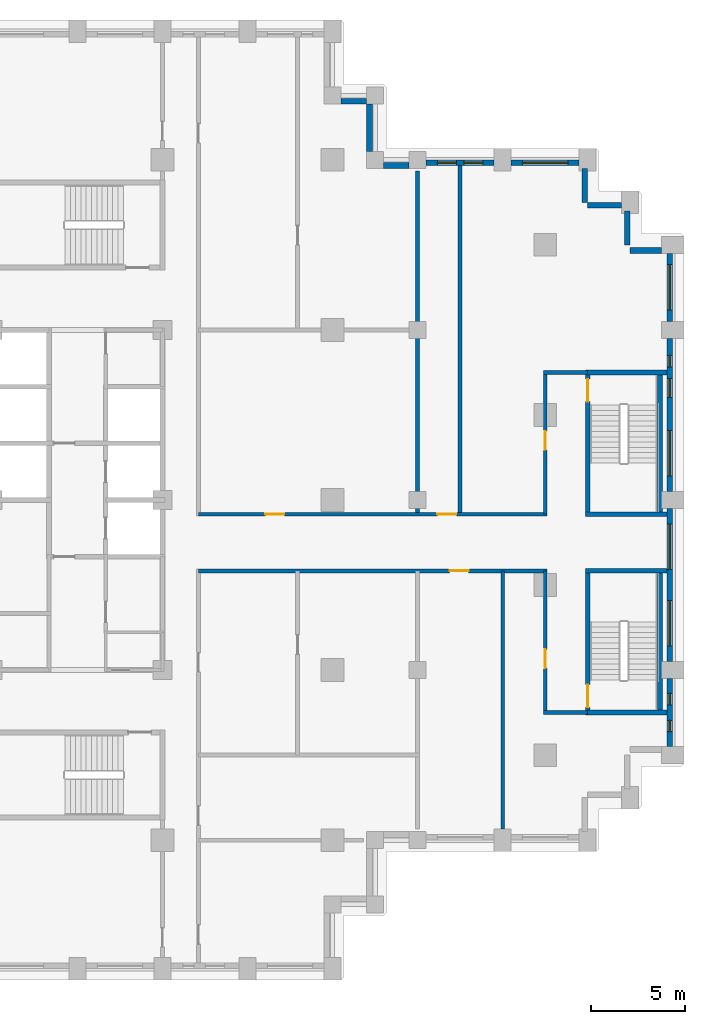
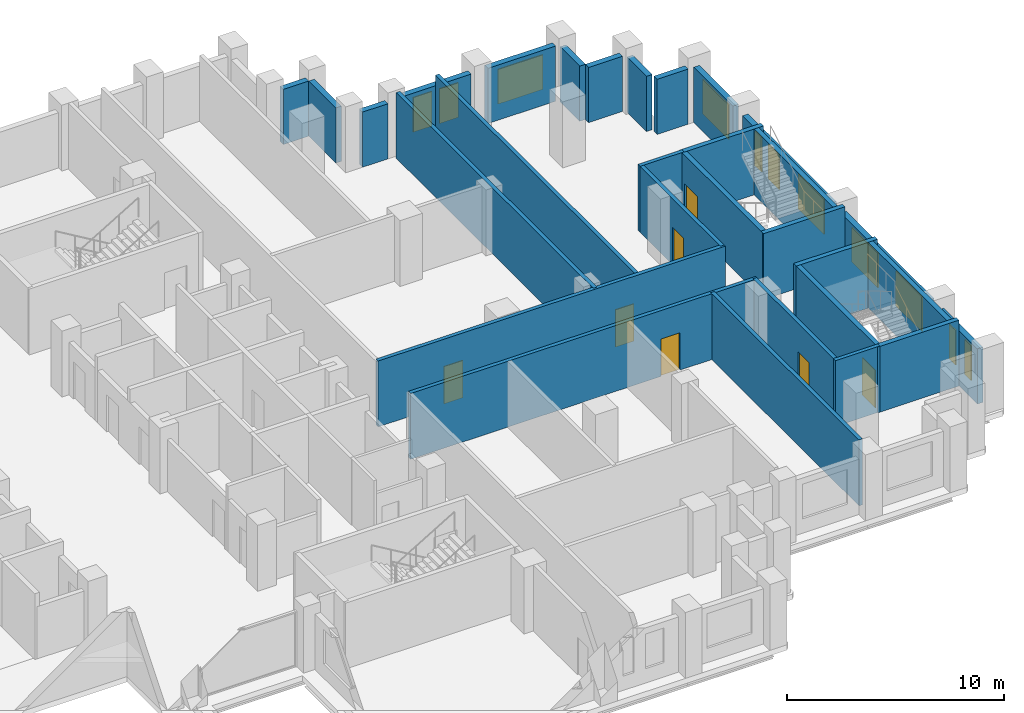
# One storey, part 12 of 16: 30 walls, 11 windows, 7 doors, 18 openings.
"""IFC4 building model written with IfcOpenShell, lengths in metres."""

from ifc_helpers import new_model, si_unit, direction, frame, frame_2d, origin, place, context, subcontext, project, spatial, rectangle, extrude, material, layer, layer_set, type_object, element, fill, save


model = new_model("IFC4")

# Units and contexts
model_context = context("Model", 3, precision=1e-05, world=origin(), true_north=direction((0.0, 1.0)))
body_context = subcontext(model_context, "Body", "Model", "MODEL_VIEW")
ifc_project = project(units=[si_unit("LENGTHUNIT", "METRE"), si_unit("AREAUNIT", "SQUARE_METRE"), si_unit("VOLUMEUNIT", "CUBIC_METRE"), si_unit("PLANEANGLEUNIT", "RADIAN"), si_unit("MASSUNIT", "GRAM", prefix="KILO")], contexts=[model_context])

# Site, building, storey
site_placement = place(None, origin())
site = spatial("IfcSite", under=ifc_project, at=site_placement, CompositionType="ELEMENT")
building_placement = place(site_placement, origin())
building = spatial("IfcBuilding", under=site, at=building_placement, Name="Corbelhall Arena Tower", CompositionType="ELEMENT")
storey_placement = place(building_placement, frame((0.0, 0.0, 104.0)))
storey = spatial("IfcBuildingStorey", under=building, at=storey_placement, Name="L18", CompositionType="ELEMENT", Elevation=104.0)

# Walls
ifc_material_1 = material(Name="Precast concrete C40/50 with granite facing", Category="masonry")
ifc_layer_1 = layer(ifc_material_1, 0.300048828125)
ifc_layer_set_1 = layer_set([ifc_layer_1], Name="EV-IW1 Infill panel 300")
wall_type_1 = type_object("IfcWallType", Name="EV-IW1 Infill panel 300", PredefinedType="SOLIDWALL", material=ifc_layer_set_1)
wall_1_placement = place(storey_placement, frame((39.89990234375, 13.199951171875, 0.0), z_axis=(0.0, 0.0, 1.0), x_axis=(-1.0, 0.0, 0.0)))
element("IfcWall", 1, at=wall_1_placement, inside=storey, type_object=wall_type_1, Name="Infill panel IW1", PredefinedType="SOLIDWALL", context=body_context, shape_type="SweptSolid", body=[
    extrude(rectangle(XDim=1.64990234375, YDim=0.300048828125, at=frame_2d((0.824951171875, 0.0))), origin(), (0.0, 0.0, 1.0), 3.10009765625),
])
for number, where, z_axis, x_axis, name in (
    (2, (38.10009765625, 15.300048828125, 0.0), (0.0, 0.0, 1.0), (0.0, -1.0, 0.0), "Infill panel IW1"),
    (3, (37.800048828125, 15.60009765625, 0.0), (0.0, 0.0, 1.0), (-1.0, 0.0, 0.0), "Infill panel IW1"),
    (4, (35.85009765625, 17.550048828125, 0.0), (0.0, 0.0, 1.0), (0.0, -1.0, 0.0), "Infill panel IW1"),
):
    element("IfcWall", number, at=place(storey_placement, frame(where, z_axis=z_axis, x_axis=x_axis)), inside=storey, type_object=wall_type_1, Name=name, PredefinedType="SOLIDWALL", context=body_context, shape_type="SweptSolid", body=[
        extrude(rectangle(XDim=1.800048828125, YDim=0.300048828125, at=frame_2d((0.89990234375, 0.0))), origin(), (0.0, 0.0, 1.0), 3.10009765625),
    ])

# Wall, openings, windows
wall_2_placement = place(storey_placement, frame((40.35009765625, -13.050048828125, 0.0), z_axis=(0.0, 0.0, 1.0), x_axis=(0.0, 1.0, 0.0)))
wall_2 = element("IfcWall", 5, at=wall_2_placement, inside=storey, type_object=wall_type_1, Name="Infill panel IW1", PredefinedType="SOLIDWALL", context=body_context, shape_type="SweptSolid", body=[
    extrude(rectangle(XDim=3.60009765625, YDim=0.300048828125, at=frame_2d((1.800048828125, 0.0))), origin(), (0.0, 0.0, 1.0), 3.10009765625),
])
opening_1_placement = place(wall_2_placement, frame((0.78759765625, 0.0, 0.800048828125)))
opening_1 = element("IfcOpeningElement", 6, at=opening_1_placement, cuts=wall_2, Name="Opening WN5", PredefinedType="OPENING", context=body_context, shape_type="SweptSolid", body=[
    extrude(rectangle(XDim=0.60009765625, YDim=1.949951171875, at=frame_2d((0.300048828125, 0.97509765625))), frame((0.0, 0.14990234375, 0.0), z_axis=(0.0, -1.0, 0.0), x_axis=(1.0, 0.0, 0.0)), (0.0, 0.0, 1.0), 0.300048828125),
])
opening_2_placement = place(wall_2_placement, frame((2.21240234375, 0.0, 0.800048828125)))
opening_2 = element("IfcOpeningElement", 7, at=opening_2_placement, cuts=wall_2, Name="Opening WN5", PredefinedType="OPENING", context=body_context, shape_type="SweptSolid", body=[
    extrude(rectangle(XDim=0.60009765625, YDim=1.949951171875, at=frame_2d((0.300048828125, 0.97509765625))), frame((0.0, 0.14990234375, 0.0), z_axis=(0.0, -1.0, 0.0), x_axis=(1.0, 0.0, 0.0)), (0.0, 0.0, 1.0), 0.300048828125),
])
ifc_material_2 = material(Name="Aluminium black anodised", Category="aluminium")
window_type_1 = type_object("IfcWindowType", Name="EV-WN5 Office window 600", PartitioningType="SINGLE_PANEL", PredefinedType="WINDOW", material=ifc_material_2)
window_1_placement = place(opening_1_placement, origin())
window_1 = element("IfcWindow", 8, at=window_1_placement, inside=storey, type_object=window_type_1, Name="Window WN5", OverallHeight=1.949951171875, OverallWidth=0.60009765625, PartitioningType="SINGLE_PANEL", PredefinedType="WINDOW", context=body_context, shape_type="SweptSolid", body=[
    extrude(rectangle(XDim=0.60009765625, YDim=1.949951171875, at=frame_2d((0.300048828125, 0.97509765625))), frame((0.0, 0.030029296875, 0.0), z_axis=(0.0, -1.0, 0.0), x_axis=(1.0, 0.0, 0.0)), (0.0, 0.0, 1.0), 0.06005859375),
])
fill(opening_1, window_1)
window_2_placement = place(opening_2_placement, origin())
window_2 = element("IfcWindow", 9, at=window_2_placement, inside=storey, type_object=window_type_1, Name="Window WN5", OverallHeight=1.949951171875, OverallWidth=0.60009765625, PartitioningType="SINGLE_PANEL", PredefinedType="WINDOW", context=body_context, shape_type="SweptSolid", body=[
    extrude(rectangle(XDim=0.60009765625, YDim=1.949951171875, at=frame_2d((0.300048828125, 0.97509765625))), frame((0.0, 0.030029296875, 0.0), z_axis=(0.0, -1.0, 0.0), x_axis=(1.0, 0.0, 0.0)), (0.0, 0.0, 1.0), 0.06005859375),
])
fill(opening_2, window_2)

wall_3_placement = place(storey_placement, frame((40.35009765625, -8.550048828125, 0.0), z_axis=(0.0, 0.0, 1.0), x_axis=(0.0, 1.0, 0.0)))
wall_3 = element("IfcWall", 10, at=wall_3_placement, inside=storey, type_object=wall_type_1, Name="Infill panel IW1", PredefinedType="SOLIDWALL", context=body_context, shape_type="SweptSolid", body=[
    extrude(rectangle(XDim=8.10009765625, YDim=0.300048828125, at=frame_2d((4.050048828125, 0.0))), origin(), (0.0, 0.0, 1.0), 3.10009765625),
])
opening_3_placement = place(wall_3_placement, frame((0.824951171875, 0.0, 0.800048828125)))
opening_3 = element("IfcOpeningElement", 11, at=opening_3_placement, cuts=wall_3, Name="Opening WN1", PredefinedType="OPENING", context=body_context, shape_type="SweptSolid", body=[
    extrude(rectangle(XDim=2.39990234375, YDim=1.949951171875, at=frame_2d((1.199951171875, 0.97509765625))), frame((0.0, 0.14990234375, 0.0), z_axis=(0.0, -1.0, 0.0), x_axis=(1.0, 0.0, 0.0)), (0.0, 0.0, 1.0), 0.300048828125),
])
opening_4_placement = place(wall_3_placement, frame((4.875, 0.0, 0.800048828125)))
opening_4 = element("IfcOpeningElement", 12, at=opening_4_placement, cuts=wall_3, Name="Opening WN1", PredefinedType="OPENING", context=body_context, shape_type="SweptSolid", body=[
    extrude(rectangle(XDim=2.39990234375, YDim=1.949951171875, at=frame_2d((1.199951171875, 0.97509765625))), frame((0.0, 0.14990234375, 0.0), z_axis=(0.0, -1.0, 0.0), x_axis=(1.0, 0.0, 0.0)), (0.0, 0.0, 1.0), 0.300048828125),
])
window_type_2 = type_object("IfcWindowType", Name="EV-WN1 Office window", PartitioningType="SINGLE_PANEL", PredefinedType="WINDOW", material=ifc_material_2)
window_3_placement = place(opening_3_placement, origin())
window_3 = element("IfcWindow", 13, at=window_3_placement, inside=storey, type_object=window_type_2, Name="Window WN1", OverallHeight=1.949951171875, OverallWidth=2.39990234375, PartitioningType="SINGLE_PANEL", PredefinedType="WINDOW", context=body_context, shape_type="SweptSolid", body=[
    extrude(rectangle(XDim=2.39990234375, YDim=1.949951171875, at=frame_2d((1.199951171875, 0.97509765625))), frame((0.0, 0.030029296875, 0.0), z_axis=(0.0, -1.0, 0.0), x_axis=(1.0, 0.0, 0.0)), (0.0, 0.0, 1.0), 0.06005859375),
])
fill(opening_3, window_3)
window_4_placement = place(opening_4_placement, origin())
window_4 = element("IfcWindow", 14, at=window_4_placement, inside=storey, type_object=window_type_2, Name="Window WN1", OverallHeight=1.949951171875, OverallWidth=2.39990234375, PartitioningType="SINGLE_PANEL", PredefinedType="WINDOW", context=body_context, shape_type="SweptSolid", body=[
    extrude(rectangle(XDim=2.39990234375, YDim=1.949951171875, at=frame_2d((1.199951171875, 0.97509765625))), frame((0.0, 0.030029296875, 0.0), z_axis=(0.0, -1.0, 0.0), x_axis=(1.0, 0.0, 0.0)), (0.0, 0.0, 1.0), 0.06005859375),
])
fill(opening_4, window_4)

wall_4_placement = place(storey_placement, frame((40.35009765625, 0.449951171875, 0.0), z_axis=(0.0, 0.0, 1.0), x_axis=(0.0, 1.0, 0.0)))
wall_4 = element("IfcWall", 15, at=wall_4_placement, inside=storey, type_object=wall_type_1, Name="Infill panel IW1", PredefinedType="SOLIDWALL", context=body_context, shape_type="SweptSolid", body=[
    extrude(rectangle(XDim=8.10009765625, YDim=0.300048828125, at=frame_2d((4.050048828125, 0.0))), origin(), (0.0, 0.0, 1.0), 3.10009765625),
])
opening_5_placement = place(wall_4_placement, frame((0.824951171875, 0.0, 0.800048828125)))
opening_5 = element("IfcOpeningElement", 16, at=opening_5_placement, cuts=wall_4, Name="Opening WN1", PredefinedType="OPENING", context=body_context, shape_type="SweptSolid", body=[
    extrude(rectangle(XDim=2.39990234375, YDim=1.949951171875, at=frame_2d((1.199951171875, 0.97509765625))), frame((0.0, 0.14990234375, 0.0), z_axis=(0.0, -1.0, 0.0), x_axis=(1.0, 0.0, 0.0)), (0.0, 0.0, 1.0), 0.300048828125),
])
opening_6_placement = place(wall_4_placement, frame((4.97509765625, 0.0, 0.800048828125)))
opening_6 = element("IfcOpeningElement", 17, at=opening_6_placement, cuts=wall_4, Name="Opening WN6", PredefinedType="OPENING", context=body_context, shape_type="SweptSolid", body=[
    extrude(rectangle(XDim=1.0, YDim=1.949951171875, at=frame_2d((0.5, 0.97509765625))), frame((0.0, 0.14990234375, 0.0), z_axis=(0.0, -1.0, 0.0), x_axis=(1.0, 0.0, 0.0)), (0.0, 0.0, 1.0), 0.300048828125),
])
opening_7_placement = place(wall_4_placement, frame((6.60009765625, 0.0, 0.800048828125)))
opening_7 = element("IfcOpeningElement", 18, at=opening_7_placement, cuts=wall_4, Name="Opening WN5", PredefinedType="OPENING", context=body_context, shape_type="SweptSolid", body=[
    extrude(rectangle(XDim=0.60009765625, YDim=1.949951171875, at=frame_2d((0.300048828125, 0.97509765625))), frame((0.0, 0.14990234375, 0.0), z_axis=(0.0, -1.0, 0.0), x_axis=(1.0, 0.0, 0.0)), (0.0, 0.0, 1.0), 0.300048828125),
])
window_5_placement = place(opening_5_placement, origin())
window_5 = element("IfcWindow", 19, at=window_5_placement, inside=storey, type_object=window_type_2, Name="Window WN1", OverallHeight=1.949951171875, OverallWidth=2.39990234375, PartitioningType="SINGLE_PANEL", PredefinedType="WINDOW", context=body_context, shape_type="SweptSolid", body=[
    extrude(rectangle(XDim=2.39990234375, YDim=1.949951171875, at=frame_2d((1.199951171875, 0.97509765625))), frame((0.0, 0.030029296875, 0.0), z_axis=(0.0, -1.0, 0.0), x_axis=(1.0, 0.0, 0.0)), (0.0, 0.0, 1.0), 0.06005859375),
])
fill(opening_5, window_5)
window_6_placement = place(opening_7_placement, origin())
window_6 = element("IfcWindow", 20, at=window_6_placement, inside=storey, type_object=window_type_1, Name="Window WN5", OverallHeight=1.949951171875, OverallWidth=0.60009765625, PartitioningType="SINGLE_PANEL", PredefinedType="WINDOW", context=body_context, shape_type="SweptSolid", body=[
    extrude(rectangle(XDim=0.60009765625, YDim=1.949951171875, at=frame_2d((0.300048828125, 0.97509765625))), frame((0.0, 0.030029296875, 0.0), z_axis=(0.0, -1.0, 0.0), x_axis=(1.0, 0.0, 0.0)), (0.0, 0.0, 1.0), 0.06005859375),
])
fill(opening_7, window_6)
window_type_3 = type_object("IfcWindowType", Name="EV-WN6 Office window 1000", PartitioningType="SINGLE_PANEL", PredefinedType="WINDOW", material=ifc_material_2)
window_7_placement = place(opening_6_placement, origin())
window_7 = element("IfcWindow", 21, at=window_7_placement, inside=storey, type_object=window_type_3, Name="Window WN6", OverallHeight=1.949951171875, OverallWidth=1.0, PartitioningType="SINGLE_PANEL", PredefinedType="WINDOW", context=body_context, shape_type="SweptSolid", body=[
    extrude(rectangle(XDim=1.0, YDim=1.949951171875, at=frame_2d((0.5, 0.97509765625))), frame((0.0, 0.030029296875, 0.0), z_axis=(0.0, -1.0, 0.0), x_axis=(1.0, 0.0, 0.0)), (0.0, 0.0, 1.0), 0.06005859375),
])
fill(opening_6, window_7)

# Wall, opening, window
wall_5_placement = place(storey_placement, frame((40.35009765625, 9.449951171875, 0.0), z_axis=(0.0, 0.0, 1.0), x_axis=(0.0, 1.0, 0.0)))
wall_5 = element("IfcWall", 22, at=wall_5_placement, inside=storey, type_object=wall_type_1, Name="Infill panel IW1", PredefinedType="SOLIDWALL", context=body_context, shape_type="SweptSolid", body=[
    extrude(rectangle(XDim=3.60009765625, YDim=0.300048828125, at=frame_2d((1.800048828125, 0.0))), origin(), (0.0, 0.0, 1.0), 3.10009765625),
])
opening_8_placement = place(wall_5_placement, frame((0.60009765625, 0.0, 0.800048828125)))
opening_8 = element("IfcOpeningElement", 23, at=opening_8_placement, cuts=wall_5, Name="Opening WN1", PredefinedType="OPENING", context=body_context, shape_type="SweptSolid", body=[
    extrude(rectangle(XDim=2.39990234375, YDim=1.949951171875, at=frame_2d((1.199951171875, 0.97509765625))), frame((0.0, 0.14990234375, 0.0), z_axis=(0.0, -1.0, 0.0), x_axis=(1.0, 0.0, 0.0)), (0.0, 0.0, 1.0), 0.300048828125),
])
window_8_placement = place(opening_8_placement, origin())
window_8 = element("IfcWindow", 24, at=window_8_placement, inside=storey, type_object=window_type_2, Name="Window WN1", OverallHeight=1.949951171875, OverallWidth=2.39990234375, PartitioningType="SINGLE_PANEL", PredefinedType="WINDOW", context=body_context, shape_type="SweptSolid", body=[
    extrude(rectangle(XDim=2.39990234375, YDim=1.949951171875, at=frame_2d((1.199951171875, 0.97509765625))), frame((0.0, 0.030029296875, 0.0), z_axis=(0.0, -1.0, 0.0), x_axis=(1.0, 0.0, 0.0)), (0.0, 0.0, 1.0), 0.06005859375),
])
fill(opening_8, window_8)

wall_6_placement = place(storey_placement, frame((35.550048828125, 17.85009765625, 0.0), z_axis=(0.0, 0.0, 1.0), x_axis=(-1.0, 0.0, 0.0)))
wall_6 = element("IfcWall", 25, at=wall_6_placement, inside=storey, type_object=wall_type_1, Name="Infill panel IW1", PredefinedType="SOLIDWALL", context=body_context, shape_type="SweptSolid", body=[
    extrude(rectangle(XDim=3.60009765625, YDim=0.300048828125, at=frame_2d((1.800048828125, 0.0))), origin(), (0.0, 0.0, 1.0), 3.10009765625),
])
opening_9_placement = place(wall_6_placement, frame((0.60009765625, 0.0, 0.800048828125)))
opening_9 = element("IfcOpeningElement", 26, at=opening_9_placement, cuts=wall_6, Name="Opening WN1", PredefinedType="OPENING", context=body_context, shape_type="SweptSolid", body=[
    extrude(rectangle(XDim=2.39990234375, YDim=1.949951171875, at=frame_2d((1.199951171875, 0.97509765625))), frame((0.0, 0.14990234375, 0.0), z_axis=(0.0, -1.0, 0.0), x_axis=(1.0, 0.0, 0.0)), (0.0, 0.0, 1.0), 0.300048828125),
])
window_9_placement = place(opening_9_placement, origin())
window_9 = element("IfcWindow", 27, at=window_9_placement, inside=storey, type_object=window_type_2, Name="Window WN1", OverallHeight=1.949951171875, OverallWidth=2.39990234375, PartitioningType="SINGLE_PANEL", PredefinedType="WINDOW", context=body_context, shape_type="SweptSolid", body=[
    extrude(rectangle(XDim=2.39990234375, YDim=1.949951171875, at=frame_2d((1.199951171875, 0.97509765625))), frame((0.0, 0.030029296875, 0.0), z_axis=(0.0, -1.0, 0.0), x_axis=(1.0, 0.0, 0.0)), (0.0, 0.0, 1.0), 0.06005859375),
])
fill(opening_9, window_9)

# Wall, openings, windows
wall_7_placement = place(storey_placement, frame((31.050048828125, 17.85009765625, 0.0), z_axis=(0.0, 0.0, 1.0), x_axis=(-1.0, 0.0, 0.0)))
wall_7 = element("IfcWall", 28, at=wall_7_placement, inside=storey, type_object=wall_type_1, Name="Infill panel IW1", PredefinedType="SOLIDWALL", context=body_context, shape_type="SweptSolid", body=[
    extrude(rectangle(XDim=3.60009765625, YDim=0.300048828125, at=frame_2d((1.800048828125, 0.0))), origin(), (0.0, 0.0, 1.0), 3.10009765625),
])
opening_10_placement = place(wall_7_placement, frame((0.60009765625, 0.0, 0.800048828125)))
opening_10 = element("IfcOpeningElement", 29, at=opening_10_placement, cuts=wall_7, Name="Opening WN6", PredefinedType="OPENING", context=body_context, shape_type="SweptSolid", body=[
    extrude(rectangle(XDim=1.0, YDim=1.949951171875, at=frame_2d((0.5, 0.97509765625))), frame((0.0, 0.14990234375, 0.0), z_axis=(0.0, -1.0, 0.0), x_axis=(1.0, 0.0, 0.0)), (0.0, 0.0, 1.0), 0.300048828125),
])
opening_11_placement = place(wall_7_placement, frame((2.0, 0.0, 0.800048828125)))
opening_11 = element("IfcOpeningElement", 30, at=opening_11_placement, cuts=wall_7, Name="Opening WN6", PredefinedType="OPENING", context=body_context, shape_type="SweptSolid", body=[
    extrude(rectangle(XDim=1.0, YDim=1.949951171875, at=frame_2d((0.5, 0.97509765625))), frame((0.0, 0.14990234375, 0.0), z_axis=(0.0, -1.0, 0.0), x_axis=(1.0, 0.0, 0.0)), (0.0, 0.0, 1.0), 0.300048828125),
])
window_10_placement = place(opening_10_placement, origin())
window_10 = element("IfcWindow", 31, at=window_10_placement, inside=storey, type_object=window_type_3, Name="Window WN6", OverallHeight=1.949951171875, OverallWidth=1.0, PartitioningType="SINGLE_PANEL", PredefinedType="WINDOW", context=body_context, shape_type="SweptSolid", body=[
    extrude(rectangle(XDim=1.0, YDim=1.949951171875, at=frame_2d((0.5, 0.97509765625))), frame((0.0, 0.030029296875, 0.0), z_axis=(0.0, -1.0, 0.0), x_axis=(1.0, 0.0, 0.0)), (0.0, 0.0, 1.0), 0.06005859375),
])
fill(opening_10, window_10)
window_11_placement = place(opening_11_placement, origin())
window_11 = element("IfcWindow", 32, at=window_11_placement, inside=storey, type_object=window_type_3, Name="Window WN6", OverallHeight=1.949951171875, OverallWidth=1.0, PartitioningType="SINGLE_PANEL", PredefinedType="WINDOW", context=body_context, shape_type="SweptSolid", body=[
    extrude(rectangle(XDim=1.0, YDim=1.949951171875, at=frame_2d((0.5, 0.97509765625))), frame((0.0, 0.030029296875, 0.0), z_axis=(0.0, -1.0, 0.0), x_axis=(1.0, 0.0, 0.0)), (0.0, 0.0, 1.0), 0.06005859375),
])
fill(opening_11, window_11)

# Walls
wall_8_placement = place(storey_placement, frame((26.550048828125, 17.699951171875, 0.0), z_axis=(0.0, 0.0, 1.0), x_axis=(-1.0, 0.0, 0.0)))
element("IfcWall", 33, at=wall_8_placement, inside=storey, type_object=wall_type_1, Name="Infill panel IW1", PredefinedType="SOLIDWALL", context=body_context, shape_type="SweptSolid", body=[
    extrude(rectangle(XDim=1.35009765625, YDim=0.300048828125, at=frame_2d((0.675048828125, 0.0))), origin(), (0.0, 0.0, 1.0), 3.10009765625),
])
wall_9_placement = place(storey_placement, frame((24.449951171875, 18.449951171875, 0.0), z_axis=(0.0, 0.0, 1.0), x_axis=(0.0, 1.0, 0.0)))
element("IfcWall", 34, at=wall_9_placement, inside=storey, type_object=wall_type_1, Name="Infill panel IW1", PredefinedType="SOLIDWALL", context=body_context, shape_type="SweptSolid", body=[
    extrude(rectangle(XDim=2.5, YDim=0.300048828125, at=frame_2d((1.25, 0.0))), origin(), (0.0, 0.0, 1.0), 3.10009765625),
])
wall_10_placement = place(storey_placement, frame((24.300048828125, 21.10009765625, 0.0), z_axis=(0.0, 0.0, 1.0), x_axis=(-1.0, 0.0, 0.0)))
element("IfcWall", 35, at=wall_10_placement, inside=storey, type_object=wall_type_1, Name="Infill panel IW1", PredefinedType="SOLIDWALL", context=body_context, shape_type="SweptSolid", body=[
    extrude(rectangle(XDim=1.35009765625, YDim=0.300048828125, at=frame_2d((0.675048828125, 0.0))), origin(), (0.0, 0.0, 1.0), 3.10009765625),
])

# Wall, openings, doors
ifc_material_3 = material(Name="Gypsum board on steel stud, acoustic", Category="steel")
ifc_layer_2 = layer(ifc_material_3, 0.199951171875)
ifc_layer_set_2 = layer_set([ifc_layer_2], Name="IN-W-DM200")
wall_type_2 = type_object("IfcWallType", Name="IN-W-DM200", PredefinedType="PARTITIONING", material=ifc_layer_set_2)
wall_11_placement = place(storey_placement, frame((15.39990234375, -0.75, 0.0), z_axis=(0.0, 0.0, 1.0), x_axis=(1.0, 0.0, 0.0)))
wall_11 = element("IfcWall", 36, at=wall_11_placement, inside=storey, type_object=wall_type_2, Name="Partition 030", PredefinedType="PARTITIONING", context=body_context, shape_type="SweptSolid", body=[
    extrude(rectangle(XDim=18.4501953125, YDim=0.199951171875, at=frame_2d((9.22509765625, 0.0))), origin(), (0.0, 0.0, 1.0), 3.699951171875),
])
opening_12_placement = place(wall_11_placement, frame((3.550048828125, 0.0, 0.0)))
opening_12 = element("IfcOpeningElement", 37, at=opening_12_placement, cuts=wall_11, Name="Opening 04032", PredefinedType="OPENING", context=body_context, shape_type="SweptSolid", body=[
    extrude(rectangle(XDim=1.0, YDim=2.10009765625, at=frame_2d((0.5, 1.050048828125))), frame((0.0, 0.10009765625, 0.0), z_axis=(0.0, -1.0, 0.0), x_axis=(1.0, 0.0, 0.0)), (0.0, 0.0, 1.0), 0.199951171875),
])
opening_13_placement = place(wall_11_placement, frame((12.64990234375, 0.0, 0.0)))
opening_13 = element("IfcOpeningElement", 38, at=opening_13_placement, cuts=wall_11, Name="Opening 04042", PredefinedType="OPENING", context=body_context, shape_type="SweptSolid", body=[
    extrude(rectangle(XDim=1.0, YDim=2.10009765625, at=frame_2d((0.5, 1.050048828125))), frame((0.0, 0.10009765625, 0.0), z_axis=(0.0, -1.0, 0.0), x_axis=(1.0, 0.0, 0.0)), (0.0, 0.0, 1.0), 0.199951171875),
])
ifc_material_4 = material(Name="Steel door set", Category="steel")
door_type_1 = type_object("IfcDoorType", Name="IN-D-SW100", OperationType="NOTDEFINED", PredefinedType="DOOR", material=ifc_material_4)
door_1_placement = place(opening_12_placement, origin())
door_1 = element("IfcDoor", 39, at=door_1_placement, inside=storey, type_object=door_type_1, Name="Door 032", OperationType="SINGLE_SWING_LEFT", OverallHeight=2.10009765625, OverallWidth=1.0, PredefinedType="DOOR", context=body_context, shape_type="SweptSolid", body=[
    extrude(rectangle(XDim=1.0, YDim=2.10009765625, at=frame_2d((0.5, 1.050048828125))), frame((0.0, 0.02490234375, 0.0), z_axis=(0.0, -1.0, 0.0), x_axis=(1.0, 0.0, 0.0)), (0.0, 0.0, 1.0), 0.050048828125),
])
fill(opening_12, door_1)
door_2_placement = place(opening_13_placement, origin())
door_2 = element("IfcDoor", 40, at=door_2_placement, inside=storey, type_object=door_type_1, Name="Door 042", OperationType="SINGLE_SWING_LEFT", OverallHeight=2.10009765625, OverallWidth=1.0, PredefinedType="DOOR", context=body_context, shape_type="SweptSolid", body=[
    extrude(rectangle(XDim=1.0, YDim=2.10009765625, at=frame_2d((0.5, 1.050048828125))), frame((0.0, 0.02490234375, 0.0), z_axis=(0.0, -1.0, 0.0), x_axis=(1.0, 0.0, 0.0)), (0.0, 0.0, 1.0), 0.050048828125),
])
fill(opening_13, door_2)

# Wall, opening, door
wall_12_placement = place(storey_placement, frame((33.85009765625, -3.75, 0.0), z_axis=(0.0, 0.0, 1.0), x_axis=(-1.0, 0.0, 0.0)))
wall_12 = element("IfcWall", 41, at=wall_12_placement, inside=storey, type_object=wall_type_2, Name="Partition 035", PredefinedType="PARTITIONING", context=body_context, shape_type="SweptSolid", body=[
    extrude(rectangle(XDim=18.4501953125, YDim=0.199951171875, at=frame_2d((9.22509765625, 0.0))), origin(), (0.0, 0.0, 1.0), 3.699951171875),
])
opening_14_placement = place(wall_12_placement, frame((4.14990234375, 0.0, 0.0)))
opening_14 = element("IfcOpeningElement", 42, at=opening_14_placement, cuts=wall_12, Name="Opening 04044", PredefinedType="OPENING", context=body_context, shape_type="SweptSolid", body=[
    extrude(rectangle(XDim=1.0, YDim=2.10009765625, at=frame_2d((0.5, 1.050048828125))), frame((0.0, 0.10009765625, 0.0), z_axis=(0.0, -1.0, 0.0), x_axis=(1.0, 0.0, 0.0)), (0.0, 0.0, 1.0), 0.199951171875),
])
door_3_placement = place(opening_14_placement, origin())
door_3 = element("IfcDoor", 43, at=door_3_placement, inside=storey, type_object=door_type_1, Name="Door 044", OperationType="SINGLE_SWING_LEFT", OverallHeight=2.10009765625, OverallWidth=1.0, PredefinedType="DOOR", context=body_context, shape_type="SweptSolid", body=[
    extrude(rectangle(XDim=1.0, YDim=2.10009765625, at=frame_2d((0.5, 1.050048828125))), frame((0.0, 0.02490234375, 0.0), z_axis=(0.0, -1.0, 0.0), x_axis=(1.0, 0.0, 0.0)), (0.0, 0.0, 1.0), 0.050048828125),
])
fill(opening_14, door_3)

# Walls
wall_13_placement = place(storey_placement, frame((27.0, 17.39990234375, 0.0), z_axis=(0.0, 0.0, 1.0), x_axis=(0.0, -1.0, 0.0)))
element("IfcWall", 44, at=wall_13_placement, inside=storey, type_object=wall_type_2, Name="Partition 037", PredefinedType="PARTITIONING", context=body_context, shape_type="SweptSolid", body=[
    extrude(rectangle(XDim=18.14990234375, YDim=0.199951171875, at=frame_2d((9.074951171875, 0.0))), origin(), (0.0, 0.0, 1.0), 3.699951171875),
])
wall_14_placement = place(storey_placement, frame((29.25, 17.699951171875, 0.0), z_axis=(0.0, 0.0, 1.0), x_axis=(0.0, -1.0, 0.0)))
element("IfcWall", 45, at=wall_14_placement, inside=storey, type_object=wall_type_2, Name="Partition 038", PredefinedType="PARTITIONING", context=body_context, shape_type="SweptSolid", body=[
    extrude(rectangle(XDim=18.449951171875, YDim=0.199951171875, at=frame_2d((9.22509765625, 0.0))), origin(), (0.0, 0.0, 1.0), 3.699951171875),
])
wall_15_placement = place(storey_placement, frame((31.5, -3.75, 0.0), z_axis=(0.0, 0.0, 1.0), x_axis=(0.0, -1.0, 0.0)))
element("IfcWall", 46, at=wall_15_placement, inside=storey, type_object=wall_type_2, Name="Partition 039", PredefinedType="PARTITIONING", context=body_context, shape_type="SweptSolid", body=[
    extrude(rectangle(XDim=13.64990234375, YDim=0.199951171875, at=frame_2d((6.824951171875, 0.0))), origin(), (0.0, 0.0, 1.0), 3.699951171875),
])
wall_16_placement = place(storey_placement, frame((33.64990234375, 6.75, 0.0), z_axis=(0.0, 0.0, 1.0), x_axis=(1.0, 0.0, 0.0)))
element("IfcWall", 47, at=wall_16_placement, inside=storey, type_object=wall_type_2, Name="Partition 040", PredefinedType="PARTITIONING", context=body_context, shape_type="SweptSolid", body=[
    extrude(rectangle(XDim=2.35009765625, YDim=0.199951171875, at=frame_2d((1.175048828125, 0.0))), origin(), (0.0, 0.0, 1.0), 3.699951171875),
])

# Wall, opening, door
wall_17_placement = place(storey_placement, frame((33.75, -11.25, 0.0), z_axis=(0.0, 0.0, 1.0), x_axis=(0.0, 1.0, 0.0)))
wall_17 = element("IfcWall", 48, at=wall_17_placement, inside=storey, type_object=wall_type_2, Name="Partition 041", PredefinedType="PARTITIONING", context=body_context, shape_type="SweptSolid", body=[
    extrude(rectangle(XDim=7.5, YDim=0.199951171875, at=frame_2d((3.75, 0.0))), origin(), (0.0, 0.0, 1.0), 3.699951171875),
])
opening_15_placement = place(wall_17_placement, frame((2.35009765625, 0.0, 0.0)))
opening_15 = element("IfcOpeningElement", 49, at=opening_15_placement, cuts=wall_17, Name="Opening 04045", PredefinedType="OPENING", context=body_context, shape_type="SweptSolid", body=[
    extrude(rectangle(XDim=1.0, YDim=2.10009765625, at=frame_2d((0.5, 1.050048828125))), frame((0.0, 0.10009765625, 0.0), z_axis=(0.0, -1.0, 0.0), x_axis=(1.0, 0.0, 0.0)), (0.0, 0.0, 1.0), 0.199951171875),
])
door_4_placement = place(opening_15_placement, origin())
door_4 = element("IfcDoor", 50, at=door_4_placement, inside=storey, type_object=door_type_1, Name="Door 045", OperationType="SINGLE_SWING_RIGHT", OverallHeight=2.10009765625, OverallWidth=1.0, PredefinedType="DOOR", context=body_context, shape_type="SweptSolid", body=[
    extrude(rectangle(XDim=1.0, YDim=2.10009765625, at=frame_2d((0.5, 1.050048828125))), frame((0.0, 0.02490234375, 0.0), z_axis=(0.0, -1.0, 0.0), x_axis=(1.0, 0.0, 0.0)), (0.0, 0.0, 1.0), 0.050048828125),
])
fill(opening_15, door_4)

wall_18_placement = place(storey_placement, frame((33.75, -0.75, 0.0), z_axis=(0.0, 0.0, 1.0), x_axis=(0.0, 1.0, 0.0)))
wall_18 = element("IfcWall", 51, at=wall_18_placement, inside=storey, type_object=wall_type_2, Name="Partition 042", PredefinedType="PARTITIONING", context=body_context, shape_type="SweptSolid", body=[
    extrude(rectangle(XDim=7.5, YDim=0.199951171875, at=frame_2d((3.75, 0.0))), origin(), (0.0, 0.0, 1.0), 3.699951171875),
])
opening_16_placement = place(wall_18_placement, frame((3.39990234375, 0.0, 0.0)))
opening_16 = element("IfcOpeningElement", 52, at=opening_16_placement, cuts=wall_18, Name="Opening 04043", PredefinedType="OPENING", context=body_context, shape_type="SweptSolid", body=[
    extrude(rectangle(XDim=1.0, YDim=2.10009765625, at=frame_2d((0.5, 1.050048828125))), frame((0.0, 0.10009765625, 0.0), z_axis=(0.0, -1.0, 0.0), x_axis=(1.0, 0.0, 0.0)), (0.0, 0.0, 1.0), 0.199951171875),
])
door_5_placement = place(opening_16_placement, origin())
door_5 = element("IfcDoor", 53, at=door_5_placement, inside=storey, type_object=door_type_1, Name="Door 043", OperationType="SINGLE_SWING_RIGHT", OverallHeight=2.10009765625, OverallWidth=1.0, PredefinedType="DOOR", context=body_context, shape_type="SweptSolid", body=[
    extrude(rectangle(XDim=1.0, YDim=2.10009765625, at=frame_2d((0.5, 1.050048828125))), frame((0.0, 0.02490234375, 0.0), z_axis=(0.0, -1.0, 0.0), x_axis=(1.0, 0.0, 0.0)), (0.0, 0.0, 1.0), 0.050048828125),
])
fill(opening_16, door_5)

# Walls
wall_19_placement = place(storey_placement, frame((36.0, -11.25, 0.0), z_axis=(0.0, 0.0, 1.0), x_axis=(-1.0, 0.0, 0.0)))
element("IfcWall", 54, at=wall_19_placement, inside=storey, type_object=wall_type_2, Name="Partition 043", PredefinedType="PARTITIONING", context=body_context, shape_type="SweptSolid", body=[
    extrude(rectangle(XDim=2.35009765625, YDim=0.199951171875, at=frame_2d((1.175048828125, 0.0))), origin(), (0.0, 0.0, 1.0), 3.699951171875),
])
ifc_material_5 = material(Name="Concrete C40/50", Category="concrete")
ifc_layer_3 = layer(ifc_material_5, 0.25)
ifc_layer_set_3 = layer_set([ifc_layer_3], Name="IN-W-ST250")
wall_type_3 = type_object("IfcWallType", Name="IN-W-ST250", PredefinedType="SOLIDWALL", material=ifc_layer_set_3)
wall_20_placement = place(storey_placement, frame((35.875, -0.75, 0.0), z_axis=(0.0, 0.0, 1.0), x_axis=(1.0, 0.0, 0.0)))
element("IfcWall", 55, at=wall_20_placement, inside=storey, type_object=wall_type_3, Name="Shaft wall 103", PredefinedType="SOLIDWALL", context=body_context, shape_type="SweptSolid", body=[
    extrude(rectangle(XDim=4.324951171875, YDim=0.25, at=frame_2d((2.16259765625, 0.0))), origin(), (0.0, 0.0, 1.0), 3.699951171875),
])

# Wall, opening, door
wall_21_placement = place(storey_placement, frame((36.0, -11.375, 0.0), z_axis=(0.0, 0.0, 1.0), x_axis=(0.0, 1.0, 0.0)))
wall_21 = element("IfcWall", 56, at=wall_21_placement, inside=storey, type_object=wall_type_3, Name="Shaft wall 104", PredefinedType="SOLIDWALL", context=body_context, shape_type="SweptSolid", body=[
    extrude(rectangle(XDim=7.625, YDim=0.25, at=frame_2d((3.8125, 0.0))), origin(), (0.0, 0.0, 1.0), 3.699951171875),
])
opening_17_placement = place(wall_21_placement, frame((0.39990234375, 0.0, 0.0)))
opening_17 = element("IfcOpeningElement", 57, at=opening_17_placement, cuts=wall_21, Name="Opening 04021", PredefinedType="OPENING", context=body_context, shape_type="SweptSolid", body=[
    extrude(rectangle(XDim=1.199951171875, YDim=2.10009765625, at=frame_2d((0.60009765625, 1.050048828125))), frame((0.0, 0.125, 0.0), z_axis=(0.0, -1.0, 0.0), x_axis=(1.0, 0.0, 0.0)), (0.0, 0.0, 1.0), 0.25),
])
door_type_2 = type_object("IfcDoorType", Name="IN-D-ST120", OperationType="NOTDEFINED", PredefinedType="DOOR", material=ifc_material_4)
door_6_placement = place(opening_17_placement, origin())
door_6 = element("IfcDoor", 58, at=door_6_placement, inside=storey, type_object=door_type_2, Name="Door 021", OperationType="SINGLE_SWING_RIGHT", OverallHeight=2.10009765625, OverallWidth=1.199951171875, PredefinedType="DOOR", context=body_context, shape_type="SweptSolid", body=[
    extrude(rectangle(XDim=1.199951171875, YDim=2.10009765625, at=frame_2d((0.60009765625, 1.050048828125))), frame((0.0, 0.02490234375, 0.0), z_axis=(0.0, -1.0, 0.0), x_axis=(1.0, 0.0, 0.0)), (0.0, 0.0, 1.0), 0.050048828125),
])
fill(opening_17, door_6)

wall_22_placement = place(storey_placement, frame((36.0, -0.75, 0.0), z_axis=(0.0, 0.0, 1.0), x_axis=(0.0, 1.0, 0.0)))
wall_22 = element("IfcWall", 59, at=wall_22_placement, inside=storey, type_object=wall_type_3, Name="Shaft wall 105", PredefinedType="SOLIDWALL", context=body_context, shape_type="SweptSolid", body=[
    extrude(rectangle(XDim=7.625, YDim=0.25, at=frame_2d((3.8125, 0.0))), origin(), (0.0, 0.0, 1.0), 3.699951171875),
])
opening_18_placement = place(wall_22_placement, frame((5.949951171875, 0.0, 0.0)))
opening_18 = element("IfcOpeningElement", 60, at=opening_18_placement, cuts=wall_22, Name="Opening 04022", PredefinedType="OPENING", context=body_context, shape_type="SweptSolid", body=[
    extrude(rectangle(XDim=1.199951171875, YDim=2.10009765625, at=frame_2d((0.60009765625, 1.050048828125))), frame((0.0, 0.125, 0.0), z_axis=(0.0, -1.0, 0.0), x_axis=(1.0, 0.0, 0.0)), (0.0, 0.0, 1.0), 0.25),
])
door_7_placement = place(opening_18_placement, origin())
door_7 = element("IfcDoor", 61, at=door_7_placement, inside=storey, type_object=door_type_2, Name="Door 022", OperationType="SINGLE_SWING_LEFT", OverallHeight=2.10009765625, OverallWidth=1.199951171875, PredefinedType="DOOR", context=body_context, shape_type="SweptSolid", body=[
    extrude(rectangle(XDim=1.199951171875, YDim=2.10009765625, at=frame_2d((0.60009765625, 1.050048828125))), frame((0.0, 0.02490234375, 0.0), z_axis=(0.0, -1.0, 0.0), x_axis=(1.0, 0.0, 0.0)), (0.0, 0.0, 1.0), 0.050048828125),
])
fill(opening_18, door_7)

# Walls
for number, where, z_axis, x_axis, name in (
    (62, (36.0, 6.75, 0.0), (0.0, 0.0, 1.0), (1.0, 0.0, 0.0), "Shaft wall 106"),
    (63, (40.199951171875, -11.25, 0.0), (0.0, 0.0, 1.0), (-1.0, 0.0, 0.0), "Shaft wall 107"),
):
    element("IfcWall", number, at=place(storey_placement, frame(where, z_axis=z_axis, x_axis=x_axis)), inside=storey, type_object=wall_type_3, Name=name, PredefinedType="SOLIDWALL", context=body_context, shape_type="SweptSolid", body=[
        extrude(rectangle(XDim=4.199951171875, YDim=0.25, at=frame_2d((2.10009765625, 0.0))), origin(), (0.0, 0.0, 1.0), 3.699951171875),
    ])
wall_23_placement = place(storey_placement, frame((40.199951171875, -3.75, 0.0), z_axis=(0.0, 0.0, 1.0), x_axis=(-1.0, 0.0, 0.0)))
element("IfcWall", 64, at=wall_23_placement, inside=storey, type_object=wall_type_3, Name="Shaft wall 108", PredefinedType="SOLIDWALL", context=body_context, shape_type="SweptSolid", body=[
    extrude(rectangle(XDim=4.324951171875, YDim=0.25, at=frame_2d((2.16259765625, 0.0))), origin(), (0.0, 0.0, 1.0), 3.699951171875),
])
for number, where, z_axis, x_axis, name in (
    (65, (39.824951171875, -11.125, 0.0), (0.0, 0.0, 1.0), (0.0, 1.0, 0.0), "Shaft wall SD1 facade side"),
    (66, (39.824951171875, -0.625, 0.0), (0.0, 0.0, 1.0), (0.0, 1.0, 0.0), "Shaft wall SD2 facade side"),
):
    element("IfcWall", number, at=place(storey_placement, frame(where, z_axis=z_axis, x_axis=x_axis)), inside=storey, type_object=wall_type_3, Name=name, PredefinedType="SOLIDWALL", context=body_context, shape_type="SweptSolid", body=[
        extrude(rectangle(XDim=7.25, YDim=0.25, at=frame_2d((3.625, 0.0))), origin(), (0.0, 0.0, 1.0), 3.699951171875),
    ])

save(model, "model.ifc")
